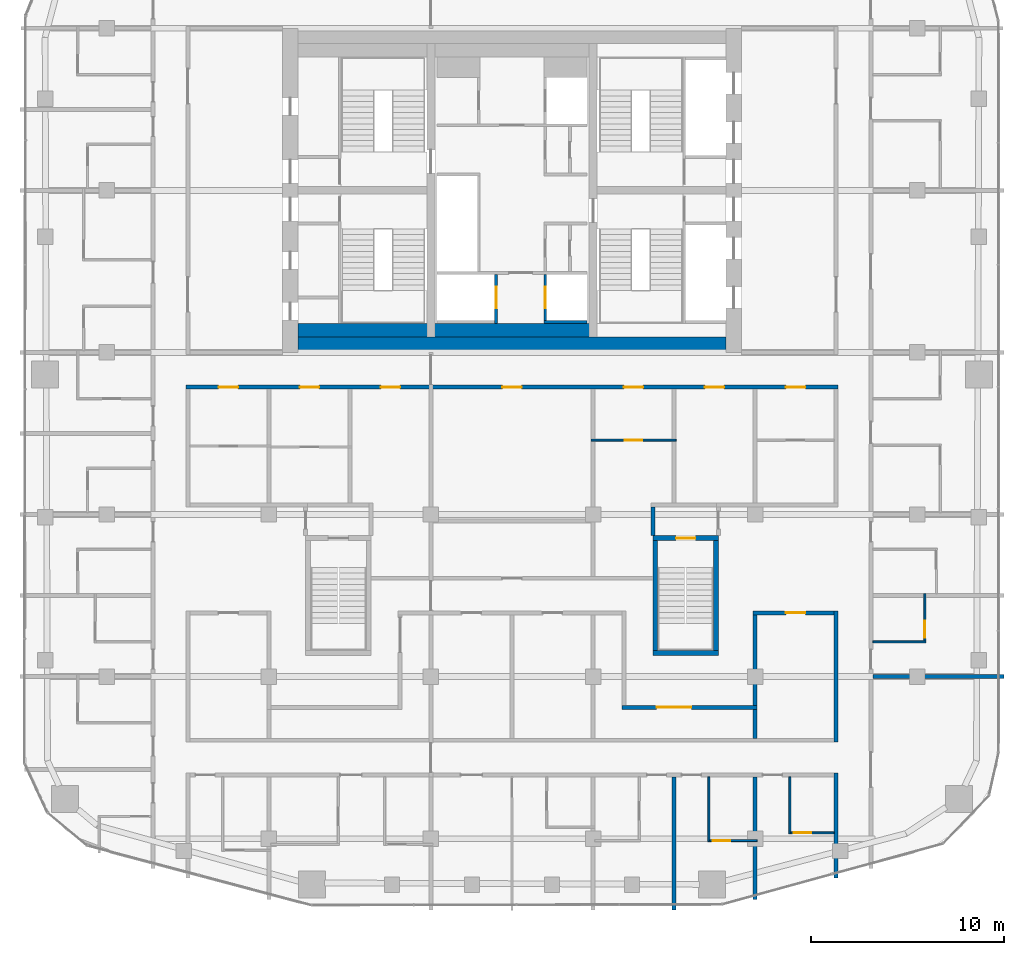
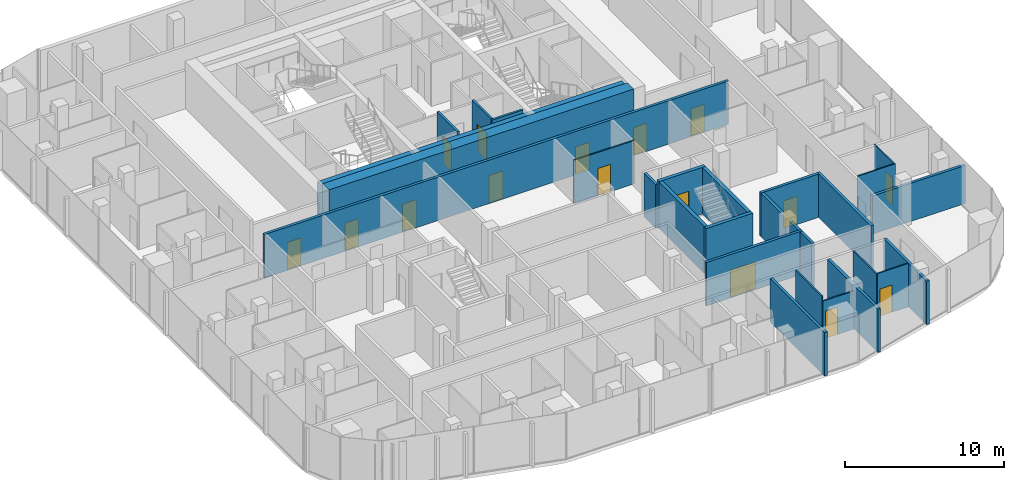
# One storey, part 16 of 22: 27 walls, 16 doors, 16 openings.
"""IFC4 building model written with IfcOpenShell, lengths in metres."""

from ifc_helpers import new_model, si_unit, direction, frame, frame_2d, origin, place, context, subcontext, project, spatial, rectangle, extrude, material, layer, layer_set, type_object, element, fill, save


model = new_model("IFC4")

# Units and contexts
model_context = context("Model", 3, precision=1e-05, world=origin(), true_north=direction((0.0, 1.0)))
body_context = subcontext(model_context, "Body", "Model", "MODEL_VIEW")
ifc_project = project(units=[si_unit("LENGTHUNIT", "METRE"), si_unit("AREAUNIT", "SQUARE_METRE"), si_unit("VOLUMEUNIT", "CUBIC_METRE"), si_unit("PLANEANGLEUNIT", "RADIAN"), si_unit("MASSUNIT", "GRAM", prefix="KILO")], contexts=[model_context])

# Site, building, storey
site_placement = place(None, origin())
site = spatial("IfcSite", under=ifc_project, at=site_placement, CompositionType="ELEMENT")
building_placement = place(site_placement, origin())
building = spatial("IfcBuilding", under=site, at=building_placement, Name="Marenta Gate Hotel Tower", CompositionType="ELEMENT")
storey_placement = place(building_placement, frame((0.0, 0.0, 223.699951171875)))
storey = spatial("IfcBuildingStorey", under=building, at=storey_placement, Name="L52", CompositionType="ELEMENT", Elevation=223.699951171875)

# Wall
ifc_material_1 = material(Name="Concrete C40", Category="concrete")
ifc_layer_1 = layer(ifc_material_1, 0.699951171875)
ifc_layer_set_1 = layer_set([ifc_layer_1], Name="Concrete C40")
wall_type_1 = type_object("IfcWallType", Name="Core lining wall 700 REI 180", PredefinedType="PARTITIONING", material=ifc_layer_set_1)
wall_1_placement = place(storey_placement, frame((-11.10009765625, 1.14990234375, 0.0), z_axis=(0.0, 0.0, 1.0), x_axis=(1.0, 0.0, 0.0)))
element("IfcWall", 1, at=wall_1_placement, inside=storey, type_object=wall_type_1, Name="L52-CP-LN-S", PredefinedType="PARTITIONING", context=body_context, shape_type="SweptSolid", body=[
    extrude(rectangle(XDim=22.2001953125, YDim=0.699951171875, at=frame_2d((11.10009765625, 0.0))), origin(), (0.0, 0.0, 1.0), 3.340087890625),
])

# Wall, opening, door
ifc_material_2 = material(Name="Concrete C40", Category="concrete")
ifc_layer_2 = layer(ifc_material_2, 0.14990234375)
ifc_layer_set_2 = layer_set([ifc_layer_2], Name="Concrete C40")
wall_type_2 = type_object("IfcWallType", Name="Core shaft wall 150 REI 180", PredefinedType="SHEAR", material=ifc_layer_set_2)
wall_2_placement = place(storey_placement, frame((-0.824951171875, 1.5, 0.0), z_axis=(0.0, 0.0, 1.0), x_axis=(0.0, 1.0, 0.0)))
wall_2 = element("IfcWall", 2, at=wall_2_placement, inside=storey, type_object=wall_type_2, Name="L52-SHF-CW-W-ff", PredefinedType="SHEAR", context=body_context, shape_type="SweptSolid", body=[
    extrude(rectangle(XDim=2.550048828125, YDim=0.14990234375, at=frame_2d((1.27490234375, 0.0))), origin(), (0.0, 0.0, 1.0), 3.60009765625),
])
opening_1_placement = place(wall_2_placement, frame((0.800048828125, 0.0, 0.0)))
opening_1 = element("IfcOpeningElement", 3, at=opening_1_placement, cuts=wall_2, Name="Opening LD-FF1", PredefinedType="OPENING", context=body_context, shape_type="SweptSolid", body=[
    extrude(rectangle(XDim=1.10009765625, YDim=2.10009765625, at=frame_2d((0.550048828125, 1.050048828125))), frame((0.0, 0.074951171875, 0.0), z_axis=(0.0, -1.0, 0.0), x_axis=(1.0, 0.0, 0.0)), (0.0, 0.0, 1.0), 0.14990234375),
])
ifc_material_3 = material(Name="Steel", Category="steel")
door_type_1 = type_object("IfcDoorType", Name="Core lift landing door 1100x2100 E 60", OperationType="SLIDING_TO_LEFT", PredefinedType="DOOR", material=ifc_material_3)
door_1_placement = place(opening_1_placement, origin())
door_1 = element("IfcDoor", 4, at=door_1_placement, inside=storey, type_object=door_type_1, Name="LD-FF1", OperationType="SLIDING_TO_LEFT", OverallHeight=2.10009765625, OverallWidth=1.10009765625, PredefinedType="DOOR", context=body_context, shape_type="SweptSolid", body=[
    extrude(rectangle(XDim=1.10009765625, YDim=2.10009765625, at=frame_2d((0.550048828125, 1.050048828125))), frame((0.0, 0.02490234375, 0.0), z_axis=(0.0, -1.0, 0.0), x_axis=(1.0, 0.0, 0.0)), (0.0, 0.0, 1.0), 0.050048828125),
])
fill(opening_1, door_1)

wall_3_placement = place(storey_placement, frame((1.72509765625, 1.64990234375, 0.0), z_axis=(0.0, 0.0, 1.0), x_axis=(0.0, 1.0, 0.0)))
wall_3 = element("IfcWall", 5, at=wall_3_placement, inside=storey, type_object=wall_type_2, Name="L52-SHF-CE-S-ls", PredefinedType="SHEAR", context=body_context, shape_type="SweptSolid", body=[
    extrude(rectangle(XDim=2.400146484375, YDim=0.14990234375, at=frame_2d((1.2001953125, 0.0))), origin(), (0.0, 0.0, 1.0), 3.60009765625),
])
opening_2_placement = place(wall_3_placement, frame((0.64990234375, 0.0, 0.0)))
opening_2 = element("IfcOpeningElement", 6, at=opening_2_placement, cuts=wall_3, Name="Opening LD-SV1", PredefinedType="OPENING", context=body_context, shape_type="SweptSolid", body=[
    extrude(rectangle(XDim=1.10009765625, YDim=2.10009765625, at=frame_2d((0.550048828125, 1.050048828125))), frame((0.0, 0.074951171875, 0.0), z_axis=(0.0, -1.0, 0.0), x_axis=(1.0, 0.0, 0.0)), (0.0, 0.0, 1.0), 0.14990234375),
])
door_2_placement = place(opening_2_placement, origin())
door_2 = element("IfcDoor", 7, at=door_2_placement, inside=storey, type_object=door_type_1, Name="LD-SV1", OperationType="SLIDING_TO_LEFT", OverallHeight=2.10009765625, OverallWidth=1.10009765625, PredefinedType="DOOR", context=body_context, shape_type="SweptSolid", body=[
    extrude(rectangle(XDim=1.10009765625, YDim=2.10009765625, at=frame_2d((0.550048828125, 1.050048828125))), frame((0.0, 0.02490234375, 0.0), z_axis=(0.0, -1.0, 0.0), x_axis=(1.0, 0.0, 0.0)), (0.0, 0.0, 1.0), 0.050048828125),
])
fill(opening_2, door_2)

# Walls
wall_4_placement = place(storey_placement, frame((1.64990234375, 1.574951171875, 0.0), z_axis=(0.0, 0.0, 1.0), x_axis=(1.0, 0.0, 0.0)))
element("IfcWall", 8, at=wall_4_placement, inside=storey, type_object=wall_type_2, Name="L52-SHF-CE-S-bot", PredefinedType="SHEAR", context=body_context, shape_type="SweptSolid", body=[
    extrude(rectangle(XDim=2.25, YDim=0.14990234375, at=frame_2d((1.125, 0.0))), origin(), (0.0, 0.0, 1.0), 3.60009765625),
])
ifc_material_4 = material(Name="Concrete C60", Category="concrete")
ifc_layer_3 = layer(ifc_material_4, 0.800048828125)
ifc_layer_set_3 = layer_set([ifc_layer_3], Name="Concrete C60")
wall_type_3 = type_object("IfcWallType", Name="Core wall 800 C60", PredefinedType="SHEAR", material=ifc_layer_set_3)
wall_5_placement = place(storey_placement, frame((-11.10009765625, 0.39990234375, 0.0), z_axis=(0.0, 0.0, 1.0), x_axis=(1.0, 0.0, 0.0)))
element("IfcWall", 9, at=wall_5_placement, inside=storey, type_object=wall_type_3, Name="L52-CORE-S", PredefinedType="SHEAR", context=body_context, shape_type="SweptSolid", body=[
    extrude(rectangle(XDim=22.2001953125, YDim=0.800048828125, at=frame_2d((11.10009765625, 0.0))), origin(), (0.0, 0.0, 1.0), 3.60009765625),
])
ifc_material_5 = material(Name="Concrete C40", Category="concrete")
ifc_layer_4 = layer(ifc_material_5, 0.25)
ifc_layer_set_4 = layer_set([ifc_layer_4], Name="Concrete C40")
wall_type_4 = type_object("IfcWallType", Name="Remote stair enclosure wall 250 REI 180", PredefinedType="SHEAR", material=ifc_layer_set_4)
wall_6_placement = place(storey_placement, frame((7.300048828125, -15.574951171875, 0.10009765625), z_axis=(0.0, 0.0, 1.0), x_axis=(1.0, 0.0, 0.0)))
element("IfcWall", 10, at=wall_6_placement, inside=storey, type_object=wall_type_4, Name="L52-RS-Z3-2-W1", PredefinedType="SHEAR", context=body_context, shape_type="SweptSolid", body=[
    extrude(rectangle(XDim=3.39990234375, YDim=0.25, at=frame_2d((1.699951171875, 0.0))), origin(), (0.0, 0.0, 1.0), 3.599853515625),
])

# Wall, opening, door
wall_7_placement = place(storey_placement, frame((7.300048828125, -9.625, 0.10009765625), z_axis=(0.0, 0.0, 1.0), x_axis=(1.0, 0.0, 0.0)))
wall_7 = element("IfcWall", 11, at=wall_7_placement, inside=storey, type_object=wall_type_4, Name="L52-RS-Z3-2-W2", PredefinedType="SHEAR", context=body_context, shape_type="SweptSolid", body=[
    extrude(rectangle(XDim=3.39990234375, YDim=0.25, at=frame_2d((1.699951171875, 0.0))), origin(), (0.0, 0.0, 1.0), 3.599853515625),
])
opening_3_placement = place(wall_7_placement, frame((1.199951171875, 0.0, 0.0)))
opening_3 = element("IfcOpeningElement", 12, at=opening_3_placement, cuts=wall_7, Name="Opening VD", PredefinedType="OPENING", context=body_context, shape_type="SweptSolid", body=[
    extrude(rectangle(XDim=1.0, YDim=2.10009765625, at=frame_2d((0.5, 1.050048828125))), frame((0.0, 0.125, 0.0), z_axis=(0.0, -1.0, 0.0), x_axis=(1.0, 0.0, 0.0)), (0.0, 0.0, 1.0), 0.25),
])
ifc_material_6 = material(Name="Steel", Category="steel")
door_type_2 = type_object("IfcDoorType", Name="Stair vestibule door 1000x2100 FD60", OperationType="SINGLE_SWING_LEFT", PredefinedType="DOOR", material=ifc_material_6)
door_3_placement = place(opening_3_placement, origin())
door_3 = element("IfcDoor", 13, at=door_3_placement, inside=storey, type_object=door_type_2, Name="VD", OperationType="SINGLE_SWING_LEFT", OverallHeight=2.10009765625, OverallWidth=1.0, PredefinedType="DOOR", context=body_context, shape_type="SweptSolid", body=[
    extrude(rectangle(XDim=1.0, YDim=2.10009765625, at=frame_2d((0.5, 1.050048828125))), frame((0.0, 0.02490234375, 0.0), z_axis=(0.0, -1.0, 0.0), x_axis=(1.0, 0.0, 0.0)), (0.0, 0.0, 1.0), 0.050048828125),
])
fill(opening_3, door_3)

# Walls
for number, where, z_axis, x_axis, name in (
    (14, (7.425048828125, -15.449951171875, 0.10009765625), (0.0, 0.0, 1.0), (0.0, 1.0, 0.0), "L52-RS-Z3-2-W3"),
    (15, (10.574951171875, -15.449951171875, 0.10009765625), (0.0, 0.0, 1.0), (0.0, 1.0, 0.0), "L52-RS-Z3-2-W4"),
):
    element("IfcWall", number, at=place(storey_placement, frame(where, z_axis=z_axis, x_axis=x_axis)), inside=storey, type_object=wall_type_4, Name=name, PredefinedType="SHEAR", context=body_context, shape_type="SweptSolid", body=[
        extrude(rectangle(XDim=5.699951171875, YDim=0.25, at=frame_2d((2.85009765625, 0.0))), origin(), (0.0, 0.0, 1.0), 3.599853515625),
    ])

# Wall, openings, doors
ifc_material_7 = material(Name="Concrete blockwork", Category="masonry")
ifc_layer_5 = layer(ifc_material_7, 0.199951171875)
ifc_layer_set_5 = layer_set([ifc_layer_5], Name="Concrete blockwork")
wall_type_5 = type_object("IfcWallType", Name="Room corridor wall 200 EI 120", PredefinedType="PARTITIONING", material=ifc_layer_set_5)
wall_8_placement = place(storey_placement, frame((-16.89990234375, -1.800048828125, 0.0), z_axis=(0.0, 0.0, 1.0), x_axis=(1.0, 0.0, 0.0)))
wall_8 = element("IfcWall", 16, at=wall_8_placement, inside=storey, type_object=wall_type_5, Name="L52-PTN-W074", PredefinedType="PARTITIONING", context=body_context, shape_type="SweptSolid", body=[
    extrude(rectangle(XDim=33.7998046875, YDim=0.199951171875, at=frame_2d((16.89990234375, 0.0))), origin(), (0.0, 0.0, 1.0), 3.340087890625),
])
opening_4_placement = place(wall_8_placement, frame((1.699951171875, 0.0, 0.0)))
opening_4 = element("IfcOpeningElement", 17, at=opening_4_placement, cuts=wall_8, Name="Opening G19-01", PredefinedType="OPENING", context=body_context, shape_type="SweptSolid", body=[
    extrude(rectangle(XDim=1.0, YDim=2.10009765625, at=frame_2d((0.5, 1.050048828125))), frame((0.0, 0.10009765625, 0.0), z_axis=(0.0, -1.0, 0.0), x_axis=(1.0, 0.0, 0.0)), (0.0, 0.0, 1.0), 0.199951171875),
])
opening_5_placement = place(wall_8_placement, frame((5.89990234375, 0.0, 0.0)))
opening_5 = element("IfcOpeningElement", 18, at=opening_5_placement, cuts=wall_8, Name="Opening G19-03", PredefinedType="OPENING", context=body_context, shape_type="SweptSolid", body=[
    extrude(rectangle(XDim=1.0, YDim=2.10009765625, at=frame_2d((0.5, 1.050048828125))), frame((0.0, 0.10009765625, 0.0), z_axis=(0.0, -1.0, 0.0), x_axis=(1.0, 0.0, 0.0)), (0.0, 0.0, 1.0), 0.199951171875),
])
opening_6_placement = place(wall_8_placement, frame((10.10009765625, 0.0, 0.0)))
opening_6 = element("IfcOpeningElement", 19, at=opening_6_placement, cuts=wall_8, Name="Opening G19-05", PredefinedType="OPENING", context=body_context, shape_type="SweptSolid", body=[
    extrude(rectangle(XDim=1.0, YDim=2.10009765625, at=frame_2d((0.5, 1.050048828125))), frame((0.0, 0.10009765625, 0.0), z_axis=(0.0, -1.0, 0.0), x_axis=(1.0, 0.0, 0.0)), (0.0, 0.0, 1.0), 0.199951171875),
])
opening_7_placement = place(wall_8_placement, frame((22.699951171875, 0.0, 0.0)))
opening_7 = element("IfcOpeningElement", 20, at=opening_7_placement, cuts=wall_8, Name="Opening G19-06", PredefinedType="OPENING", context=body_context, shape_type="SweptSolid", body=[
    extrude(rectangle(XDim=1.0, YDim=2.10009765625, at=frame_2d((0.5, 1.050048828125))), frame((0.0, 0.10009765625, 0.0), z_axis=(0.0, -1.0, 0.0), x_axis=(1.0, 0.0, 0.0)), (0.0, 0.0, 1.0), 0.199951171875),
])
opening_8_placement = place(wall_8_placement, frame((26.89990234375, 0.0, 0.0)))
opening_8 = element("IfcOpeningElement", 21, at=opening_8_placement, cuts=wall_8, Name="Opening G19-08", PredefinedType="OPENING", context=body_context, shape_type="SweptSolid", body=[
    extrude(rectangle(XDim=1.0, YDim=2.10009765625, at=frame_2d((0.5, 1.050048828125))), frame((0.0, 0.10009765625, 0.0), z_axis=(0.0, -1.0, 0.0), x_axis=(1.0, 0.0, 0.0)), (0.0, 0.0, 1.0), 0.199951171875),
])
opening_9_placement = place(wall_8_placement, frame((31.10009765625, 0.0, 0.0)))
opening_9 = element("IfcOpeningElement", 22, at=opening_9_placement, cuts=wall_8, Name="Opening G19-09", PredefinedType="OPENING", context=body_context, shape_type="SweptSolid", body=[
    extrude(rectangle(XDim=1.0, YDim=2.10009765625, at=frame_2d((0.5, 1.050048828125))), frame((0.0, 0.10009765625, 0.0), z_axis=(0.0, -1.0, 0.0), x_axis=(1.0, 0.0, 0.0)), (0.0, 0.0, 1.0), 0.199951171875),
])
opening_10_placement = place(wall_8_placement, frame((16.39990234375, 0.0, 0.0)))
opening_10 = element("IfcOpeningElement", 23, at=opening_10_placement, cuts=wall_8, Name="Opening G19-74", PredefinedType="OPENING", context=body_context, shape_type="SweptSolid", body=[
    extrude(rectangle(XDim=1.0, YDim=2.10009765625, at=frame_2d((0.5, 1.050048828125))), frame((0.0, 0.10009765625, 0.0), z_axis=(0.0, -1.0, 0.0), x_axis=(1.0, 0.0, 0.0)), (0.0, 0.0, 1.0), 0.199951171875),
])
ifc_material_8 = material(Name="Timber door leaf", Category="wood")
door_type_3 = type_object("IfcDoorType", Name="Room amenity door 1000x2100 EI 60", OperationType="NOTDEFINED", PredefinedType="DOOR", material=ifc_material_8)
door_4_placement = place(opening_6_placement, origin())
door_4 = element("IfcDoor", 24, at=door_4_placement, inside=storey, type_object=door_type_3, Name="L52-PD-D005", OperationType="SINGLE_SWING_RIGHT", OverallHeight=2.10009765625, OverallWidth=1.0, PredefinedType="DOOR", context=body_context, shape_type="SweptSolid", body=[
    extrude(rectangle(XDim=1.0, YDim=2.10009765625, at=frame_2d((0.5, 1.050048828125))), frame((0.0, 0.02490234375, 0.0), z_axis=(0.0, -1.0, 0.0), x_axis=(1.0, 0.0, 0.0)), (0.0, 0.0, 1.0), 0.050048828125),
])
fill(opening_6, door_4)
door_5_placement = place(opening_8_placement, origin())
door_5 = element("IfcDoor", 25, at=door_5_placement, inside=storey, type_object=door_type_3, Name="L52-PD-D008", OperationType="SINGLE_SWING_LEFT", OverallHeight=2.10009765625, OverallWidth=1.0, PredefinedType="DOOR", context=body_context, shape_type="SweptSolid", body=[
    extrude(rectangle(XDim=1.0, YDim=2.10009765625, at=frame_2d((0.5, 1.050048828125))), frame((0.0, 0.02490234375, 0.0), z_axis=(0.0, -1.0, 0.0), x_axis=(1.0, 0.0, 0.0)), (0.0, 0.0, 1.0), 0.050048828125),
])
fill(opening_8, door_5)
door_6_placement = place(opening_10_placement, origin())
door_6 = element("IfcDoor", 26, at=door_6_placement, inside=storey, type_object=door_type_3, Name="L52-PD-D074", OperationType="SINGLE_SWING_LEFT", OverallHeight=2.10009765625, OverallWidth=1.0, PredefinedType="DOOR", context=body_context, shape_type="SweptSolid", body=[
    extrude(rectangle(XDim=1.0, YDim=2.10009765625, at=frame_2d((0.5, 1.050048828125))), frame((0.0, 0.02490234375, 0.0), z_axis=(0.0, -1.0, 0.0), x_axis=(1.0, 0.0, 0.0)), (0.0, 0.0, 1.0), 0.050048828125),
])
fill(opening_10, door_6)
ifc_material_9 = material(Name="Hollow steel door set", Category="steel")
door_type_4 = type_object("IfcDoorType", Name="Room service door 1000x2100 EI 60", OperationType="NOTDEFINED", PredefinedType="DOOR", material=ifc_material_9)
door_7_placement = place(opening_4_placement, origin())
door_7 = element("IfcDoor", 27, at=door_7_placement, inside=storey, type_object=door_type_4, Name="L52-PD-D001", OperationType="SINGLE_SWING_LEFT", OverallHeight=2.10009765625, OverallWidth=1.0, PredefinedType="DOOR", context=body_context, shape_type="SweptSolid", body=[
    extrude(rectangle(XDim=1.0, YDim=2.10009765625, at=frame_2d((0.5, 1.050048828125))), frame((0.0, 0.02490234375, 0.0), z_axis=(0.0, -1.0, 0.0), x_axis=(1.0, 0.0, 0.0)), (0.0, 0.0, 1.0), 0.050048828125),
])
fill(opening_4, door_7)
door_8_placement = place(opening_5_placement, origin())
door_8 = element("IfcDoor", 28, at=door_8_placement, inside=storey, type_object=door_type_4, Name="L52-PD-D003", OperationType="SINGLE_SWING_LEFT", OverallHeight=2.10009765625, OverallWidth=1.0, PredefinedType="DOOR", context=body_context, shape_type="SweptSolid", body=[
    extrude(rectangle(XDim=1.0, YDim=2.10009765625, at=frame_2d((0.5, 1.050048828125))), frame((0.0, 0.02490234375, 0.0), z_axis=(0.0, -1.0, 0.0), x_axis=(1.0, 0.0, 0.0)), (0.0, 0.0, 1.0), 0.050048828125),
])
fill(opening_5, door_8)
door_9_placement = place(opening_7_placement, origin())
door_9 = element("IfcDoor", 29, at=door_9_placement, inside=storey, type_object=door_type_4, Name="L52-PD-D006", OperationType="SINGLE_SWING_RIGHT", OverallHeight=2.10009765625, OverallWidth=1.0, PredefinedType="DOOR", context=body_context, shape_type="SweptSolid", body=[
    extrude(rectangle(XDim=1.0, YDim=2.10009765625, at=frame_2d((0.5, 1.050048828125))), frame((0.0, 0.02490234375, 0.0), z_axis=(0.0, -1.0, 0.0), x_axis=(1.0, 0.0, 0.0)), (0.0, 0.0, 1.0), 0.050048828125),
])
fill(opening_7, door_9)
door_10_placement = place(opening_9_placement, origin())
door_10 = element("IfcDoor", 30, at=door_10_placement, inside=storey, type_object=door_type_4, Name="L52-PD-D009", OperationType="SINGLE_SWING_LEFT", OverallHeight=2.10009765625, OverallWidth=1.0, PredefinedType="DOOR", context=body_context, shape_type="SweptSolid", body=[
    extrude(rectangle(XDim=1.0, YDim=2.10009765625, at=frame_2d((0.5, 1.050048828125))), frame((0.0, 0.02490234375, 0.0), z_axis=(0.0, -1.0, 0.0), x_axis=(1.0, 0.0, 0.0)), (0.0, 0.0, 1.0), 0.050048828125),
])
fill(opening_9, door_10)

# Wall, opening, door
ifc_material_10 = material(Name="Gypsum board on steel stud", Category="steel")
ifc_layer_6 = layer(ifc_material_10, 0.199951171875)
ifc_layer_set_6 = layer_set([ifc_layer_6], Name="Gypsum board on steel stud")
wall_type_6 = type_object("IfcWallType", Name="Room corridor wall 200 EI 60", PredefinedType="PARTITIONING", material=ifc_layer_set_6)
wall_9_placement = place(storey_placement, frame((5.699951171875, -18.39990234375, 0.0), z_axis=(0.0, 0.0, 1.0), x_axis=(1.0, 0.0, 0.0)))
wall_9 = element("IfcWall", 31, at=wall_9_placement, inside=storey, type_object=wall_type_6, Name="L52-PTN-W023", PredefinedType="PARTITIONING", context=body_context, shape_type="SweptSolid", body=[
    extrude(rectangle(XDim=7.0, YDim=0.199951171875, at=frame_2d((3.5, 0.0))), origin(), (0.0, 0.0, 1.0), 3.340087890625),
])
opening_11_placement = place(wall_9_placement, frame((1.800048828125, 0.0, 0.0)))
opening_11 = element("IfcOpeningElement", 32, at=opening_11_placement, cuts=wall_9, Name="Opening G19-15", PredefinedType="OPENING", context=body_context, shape_type="SweptSolid", body=[
    extrude(rectangle(XDim=1.800048828125, YDim=2.10009765625, at=frame_2d((0.89990234375, 1.050048828125))), frame((0.0, 0.10009765625, 0.0), z_axis=(0.0, -1.0, 0.0), x_axis=(1.0, 0.0, 0.0)), (0.0, 0.0, 1.0), 0.199951171875),
])
ifc_material_11 = material(Name="Timber door leaf", Category="wood")
door_type_5 = type_object("IfcDoorType", Name="Room amenity door 1800x2100 EI 30", OperationType="DOUBLE_DOOR_SINGLE_SWING", PredefinedType="DOOR", material=ifc_material_11)
door_11_placement = place(opening_11_placement, origin())
door_11 = element("IfcDoor", 33, at=door_11_placement, inside=storey, type_object=door_type_5, Name="L52-PD-D015", OperationType="DOUBLE_DOOR_SINGLE_SWING", OverallHeight=2.10009765625, OverallWidth=1.800048828125, PredefinedType="DOOR", context=body_context, shape_type="SweptSolid", body=[
    extrude(rectangle(XDim=1.800048828125, YDim=2.10009765625, at=frame_2d((0.89990234375, 1.050048828125))), frame((0.0, 0.02490234375, 0.0), z_axis=(0.0, -1.0, 0.0), x_axis=(1.0, 0.0, 0.0)), (0.0, 0.0, 1.0), 0.050048828125),
])
fill(opening_11, door_11)

# Walls
wall_10_placement = place(storey_placement, frame((16.800048828125, -27.22900390625, 0.0), z_axis=(0.0, 0.0, 1.0), x_axis=(0.0, 1.0, 0.0)))
element("IfcWall", 34, at=wall_10_placement, inside=storey, type_object=wall_type_6, Name="L52-PTN-W024", PredefinedType="PARTITIONING", context=body_context, shape_type="SweptSolid", body=[
    extrude(rectangle(XDim=5.428955078125, YDim=0.199951171875, at=frame_2d((2.71435546875, 0.0))), origin(), (0.0, 0.0, 1.0), 3.340087890625),
])
wall_11_placement = place(storey_placement, frame((16.800048828125, -20.199951171875, 0.0), z_axis=(0.0, 0.0, 1.0), x_axis=(0.0, 1.0, 0.0)))
element("IfcWall", 35, at=wall_11_placement, inside=storey, type_object=wall_type_6, Name="L52-PTN-W025", PredefinedType="PARTITIONING", context=body_context, shape_type="SweptSolid", body=[
    extrude(rectangle(XDim=6.800048828125, YDim=0.199951171875, at=frame_2d((3.39990234375, 0.0))), origin(), (0.0, 0.0, 1.0), 3.340087890625),
])

# Wall, opening, door
wall_12_placement = place(storey_placement, frame((12.5, -13.5, 0.0), z_axis=(0.0, 0.0, 1.0), x_axis=(1.0, 0.0, 0.0)))
wall_12 = element("IfcWall", 36, at=wall_12_placement, inside=storey, type_object=wall_type_6, Name="L52-PTN-W035", PredefinedType="PARTITIONING", context=body_context, shape_type="SweptSolid", body=[
    extrude(rectangle(XDim=4.199951171875, YDim=0.199951171875, at=frame_2d((2.10009765625, 0.0))), origin(), (0.0, 0.0, 1.0), 3.340087890625),
])
opening_12_placement = place(wall_12_placement, frame((1.699951171875, 0.0, 0.0)))
opening_12 = element("IfcOpeningElement", 37, at=opening_12_placement, cuts=wall_12, Name="Opening G19-16", PredefinedType="OPENING", context=body_context, shape_type="SweptSolid", body=[
    extrude(rectangle(XDim=1.0, YDim=2.10009765625, at=frame_2d((0.5, 1.050048828125))), frame((0.0, 0.10009765625, 0.0), z_axis=(0.0, -1.0, 0.0), x_axis=(1.0, 0.0, 0.0)), (0.0, 0.0, 1.0), 0.199951171875),
])
ifc_material_12 = material(Name="Timber door leaf", Category="wood")
door_type_6 = type_object("IfcDoorType", Name="Room amenity door 1000x2100 EI 30", OperationType="NOTDEFINED", PredefinedType="DOOR", material=ifc_material_12)
door_12_placement = place(opening_12_placement, origin())
door_12 = element("IfcDoor", 38, at=door_12_placement, inside=storey, type_object=door_type_6, Name="L52-PD-D016", OperationType="SINGLE_SWING_RIGHT", OverallHeight=2.10009765625, OverallWidth=1.0, PredefinedType="DOOR", context=body_context, shape_type="SweptSolid", body=[
    extrude(rectangle(XDim=1.0, YDim=2.10009765625, at=frame_2d((0.5, 1.050048828125))), frame((0.0, 0.02490234375, 0.0), z_axis=(0.0, -1.0, 0.0), x_axis=(1.0, 0.0, 0.0)), (0.0, 0.0, 1.0), 0.050048828125),
])
fill(opening_12, door_12)

# Wall
wall_13_placement = place(storey_placement, frame((12.60009765625, -18.300048828125, 0.0), z_axis=(0.0, 0.0, 1.0), x_axis=(0.0, 1.0, 0.0)))
element("IfcWall", 39, at=wall_13_placement, inside=storey, type_object=wall_type_6, Name="L52-PTN-W040", PredefinedType="PARTITIONING", context=body_context, shape_type="SweptSolid", body=[
    extrude(rectangle(XDim=4.699951171875, YDim=0.199951171875, at=frame_2d((2.35009765625, 0.0))), origin(), (0.0, 0.0, 1.0), 3.340087890625),
])

# Wall, opening, door
ifc_material_13 = material(Name="Gypsum board on steel stud", Category="steel")
ifc_layer_7 = layer(ifc_material_13, 0.10009765625)
ifc_layer_set_7 = layer_set([ifc_layer_7], Name="Gypsum board on steel stud")
wall_type_7 = type_object("IfcWallType", Name="Room partition 100", PredefinedType="PARTITIONING", material=ifc_layer_set_7)
wall_14_placement = place(storey_placement, frame((10.25, -25.300048828125, 0.0), z_axis=(0.0, 0.0, 1.0), x_axis=(1.0, 0.0, 0.0)))
wall_14 = element("IfcWall", 40, at=wall_14_placement, inside=storey, type_object=wall_type_7, Name="L52-PTN-W006", PredefinedType="PARTITIONING", context=body_context, shape_type="SweptSolid", body=[
    extrude(rectangle(XDim=2.449951171875, YDim=0.10009765625, at=frame_2d((1.22509765625, 0.0))), origin(), (0.0, 0.0, 1.0), 2.93994140625),
])
opening_13_placement = place(wall_14_placement, frame((0.14990234375, 0.0, 0.0)))
opening_13 = element("IfcOpeningElement", 41, at=opening_13_placement, cuts=wall_14, Name="Opening G19-47", PredefinedType="OPENING", context=body_context, shape_type="SweptSolid", body=[
    extrude(rectangle(XDim=0.89990234375, YDim=2.10009765625, at=frame_2d((0.449951171875, 1.050048828125))), frame((0.0, 0.050048828125, 0.0), z_axis=(0.0, -1.0, 0.0), x_axis=(1.0, 0.0, 0.0)), (0.0, 0.0, 1.0), 0.10009765625),
])
ifc_material_14 = material(Name="Timber door leaf", Category="wood")
door_type_7 = type_object("IfcDoorType", Name="Guest bathroom door 900x2100", OperationType="NOTDEFINED", PredefinedType="DOOR", material=ifc_material_14)
door_13_placement = place(opening_13_placement, origin())
door_13 = element("IfcDoor", 42, at=door_13_placement, inside=storey, type_object=door_type_7, Name="L52-PD-D047", OperationType="SINGLE_SWING_LEFT", OverallHeight=2.10009765625, OverallWidth=0.89990234375, PredefinedType="DOOR", context=body_context, shape_type="SweptSolid", body=[
    extrude(rectangle(XDim=0.89990234375, YDim=2.10009765625, at=frame_2d((0.449951171875, 1.050048828125))), frame((0.0, 0.02490234375, 0.0), z_axis=(0.0, -1.0, 0.0), x_axis=(1.0, 0.0, 0.0)), (0.0, 0.0, 1.0), 0.050048828125),
])
fill(opening_13, door_13)

wall_15_placement = place(storey_placement, frame((14.449951171875, -24.89990234375, 0.0), z_axis=(0.0, 0.0, 1.0), x_axis=(1.0, 0.0, 0.0)))
wall_15 = element("IfcWall", 43, at=wall_15_placement, inside=storey, type_object=wall_type_7, Name="L52-PTN-W007", PredefinedType="PARTITIONING", context=body_context, shape_type="SweptSolid", body=[
    extrude(rectangle(XDim=2.25, YDim=0.10009765625, at=frame_2d((1.125, 0.0))), origin(), (0.0, 0.0, 1.0), 3.340087890625),
])
opening_14_placement = place(wall_15_placement, frame((0.14990234375, 0.0, 0.0)))
opening_14 = element("IfcOpeningElement", 44, at=opening_14_placement, cuts=wall_15, Name="Opening G19-49", PredefinedType="OPENING", context=body_context, shape_type="SweptSolid", body=[
    extrude(rectangle(XDim=0.89990234375, YDim=2.10009765625, at=frame_2d((0.449951171875, 1.050048828125))), frame((0.0, 0.050048828125, 0.0), z_axis=(0.0, -1.0, 0.0), x_axis=(1.0, 0.0, 0.0)), (0.0, 0.0, 1.0), 0.10009765625),
])
door_14_placement = place(opening_14_placement, origin())
door_14 = element("IfcDoor", 45, at=door_14_placement, inside=storey, type_object=door_type_7, Name="L52-PD-D049", OperationType="SINGLE_SWING_LEFT", OverallHeight=2.10009765625, OverallWidth=0.89990234375, PredefinedType="DOOR", context=body_context, shape_type="SweptSolid", body=[
    extrude(rectangle(XDim=0.89990234375, YDim=2.10009765625, at=frame_2d((0.449951171875, 1.050048828125))), frame((0.0, 0.02490234375, 0.0), z_axis=(0.0, -1.0, 0.0), x_axis=(1.0, 0.0, 0.0)), (0.0, 0.0, 1.0), 0.050048828125),
])
fill(opening_14, door_14)

wall_16_placement = place(storey_placement, frame((21.39990234375, -14.949951171875, 0.0), z_axis=(0.0, 0.0, 1.0), x_axis=(0.0, 1.0, 0.0)))
wall_16 = element("IfcWall", 46, at=wall_16_placement, inside=storey, type_object=wall_type_7, Name="L52-PTN-W018", PredefinedType="PARTITIONING", context=body_context, shape_type="SweptSolid", body=[
    extrude(rectangle(XDim=2.449951171875, YDim=0.10009765625, at=frame_2d((1.22509765625, 0.0))), origin(), (0.0, 0.0, 1.0), 3.340087890625),
])
opening_15_placement = place(wall_16_placement, frame((0.14990234375, 0.0, 0.0)))
opening_15 = element("IfcOpeningElement", 47, at=opening_15_placement, cuts=wall_16, Name="Opening G19-19", PredefinedType="OPENING", context=body_context, shape_type="SweptSolid", body=[
    extrude(rectangle(XDim=0.89990234375, YDim=2.10009765625, at=frame_2d((0.449951171875, 1.050048828125))), frame((0.0, 0.050048828125, 0.0), z_axis=(0.0, -1.0, 0.0), x_axis=(1.0, 0.0, 0.0)), (0.0, 0.0, 1.0), 0.10009765625),
])
door_15_placement = place(opening_15_placement, origin())
door_15 = element("IfcDoor", 48, at=door_15_placement, inside=storey, type_object=door_type_7, Name="L52-PD-D019", OperationType="SINGLE_SWING_LEFT", OverallHeight=2.10009765625, OverallWidth=0.89990234375, PredefinedType="DOOR", context=body_context, shape_type="SweptSolid", body=[
    extrude(rectangle(XDim=0.89990234375, YDim=2.10009765625, at=frame_2d((0.449951171875, 1.050048828125))), frame((0.0, 0.02490234375, 0.0), z_axis=(0.0, -1.0, 0.0), x_axis=(1.0, 0.0, 0.0)), (0.0, 0.0, 1.0), 0.050048828125),
])
fill(opening_15, door_15)

# Walls
wall_17_placement = place(storey_placement, frame((18.699951171875, -15.0, 0.0), z_axis=(0.0, 0.0, 1.0), x_axis=(1.0, 0.0, 0.0)))
element("IfcWall", 49, at=wall_17_placement, inside=storey, type_object=wall_type_7, Name="L52-PTN-W031", PredefinedType="PARTITIONING", context=body_context, shape_type="SweptSolid", body=[
    extrude(rectangle(XDim=2.75, YDim=0.10009765625, at=frame_2d((1.375, 0.0))), origin(), (0.0, 0.0, 1.0), 3.340087890625),
])
wall_18_placement = place(storey_placement, frame((14.39990234375, -24.949951171875, 0.0), z_axis=(0.0, 0.0, 1.0), x_axis=(0.0, 1.0, 0.0)))
element("IfcWall", 50, at=wall_18_placement, inside=storey, type_object=wall_type_7, Name="L52-PTN-W032", PredefinedType="PARTITIONING", context=body_context, shape_type="SweptSolid", body=[
    extrude(rectangle(XDim=2.949951171875, YDim=0.10009765625, at=frame_2d((1.47509765625, 0.0))), origin(), (0.0, 0.0, 1.0), 3.340087890625),
])
wall_19_placement = place(storey_placement, frame((10.199951171875, -25.35009765625, 0.0), z_axis=(0.0, 0.0, 1.0), x_axis=(0.0, 1.0, 0.0)))
element("IfcWall", 51, at=wall_19_placement, inside=storey, type_object=wall_type_7, Name="L52-PTN-W045", PredefinedType="PARTITIONING", context=body_context, shape_type="SweptSolid", body=[
    extrude(rectangle(XDim=3.35009765625, YDim=0.10009765625, at=frame_2d((1.675048828125, 0.0))), origin(), (0.0, 0.0, 1.0), 3.340087890625),
])

# Wall, opening, door
wall_20_placement = place(storey_placement, frame((4.10009765625, -4.544921875, 0.0), z_axis=(0.0, 0.0, 1.0), x_axis=(1.0, 0.0, 0.0)))
wall_20 = element("IfcWall", 52, at=wall_20_placement, inside=storey, type_object=wall_type_7, Name="L52-PTN-W064", PredefinedType="PARTITIONING", context=body_context, shape_type="SweptSolid", body=[
    extrude(rectangle(XDim=4.39990234375, YDim=0.10009765625, at=frame_2d((2.199951171875, 0.0))), origin(), (0.0, 0.0, 1.0), 3.340087890625),
])
opening_16_placement = place(wall_20_placement, frame((1.75, 0.0, 0.0)))
opening_16 = element("IfcOpeningElement", 53, at=opening_16_placement, cuts=wall_20, Name="Opening G19-07", PredefinedType="OPENING", context=body_context, shape_type="SweptSolid", body=[
    extrude(rectangle(XDim=0.89990234375, YDim=2.10009765625, at=frame_2d((0.449951171875, 1.050048828125))), frame((0.0, 0.050048828125, 0.0), z_axis=(0.0, -1.0, 0.0), x_axis=(1.0, 0.0, 0.0)), (0.0, 0.0, 1.0), 0.10009765625),
])
ifc_material_15 = material(Name="Timber door leaf", Category="wood")
door_type_8 = type_object("IfcDoorType", Name="Room inner door 900x2100", OperationType="NOTDEFINED", PredefinedType="DOOR", material=ifc_material_15)
door_16_placement = place(opening_16_placement, origin())
door_16 = element("IfcDoor", 54, at=door_16_placement, inside=storey, type_object=door_type_8, Name="L52-PD-D007", OperationType="SINGLE_SWING_LEFT", OverallHeight=2.10009765625, OverallWidth=0.89990234375, PredefinedType="DOOR", context=body_context, shape_type="SweptSolid", body=[
    extrude(rectangle(XDim=0.89990234375, YDim=2.10009765625, at=frame_2d((0.449951171875, 1.050048828125))), frame((0.0, 0.02490234375, 0.0), z_axis=(0.0, -1.0, 0.0), x_axis=(1.0, 0.0, 0.0)), (0.0, 0.0, 1.0), 0.050048828125),
])
fill(opening_16, door_16)

# Walls
ifc_material_16 = material(Name="Gypsum board on steel stud", Category="steel")
ifc_layer_8 = layer(ifc_material_16, 0.199951171875)
ifc_layer_set_8 = layer_set([ifc_layer_8], Name="Gypsum board on steel stud")
wall_type_8 = type_object("IfcWallType", Name="Room party wall 200 EI 60", PredefinedType="PARTITIONING", material=ifc_layer_set_8)
wall_21_placement = place(storey_placement, frame((18.699951171875, -16.800048828125, 0.0), z_axis=(0.0, 0.0, 1.0), x_axis=(1.0, 0.0, 0.0)))
element("IfcWall", 55, at=wall_21_placement, inside=storey, type_object=wall_type_8, Name="L52-PTN-W029", PredefinedType="PARTITIONING", context=body_context, shape_type="SweptSolid", body=[
    extrude(rectangle(XDim=6.800048828125, YDim=0.199951171875, at=frame_2d((3.39990234375, 0.0))), origin(), (0.0, 0.0, 1.0), 2.93994140625),
])
wall_22_placement = place(storey_placement, frame((12.60009765625, -28.343017578125, 0.0), z_axis=(0.0, 0.0, 1.0), x_axis=(0.0, 1.0, 0.0)))
element("IfcWall", 56, at=wall_22_placement, inside=storey, type_object=wall_type_8, Name="L52-PTN-W036", PredefinedType="PARTITIONING", context=body_context, shape_type="SweptSolid", body=[
    extrude(rectangle(XDim=6.343017578125, YDim=0.199951171875, at=frame_2d((3.17138671875, 0.0))), origin(), (0.0, 0.0, 1.0), 3.340087890625),
])
wall_23_placement = place(storey_placement, frame((12.60009765625, -20.0, 0.0), z_axis=(0.0, 0.0, 1.0), x_axis=(0.0, 1.0, 0.0)))
element("IfcWall", 57, at=wall_23_placement, inside=storey, type_object=wall_type_8, Name="L52-PTN-W037", PredefinedType="PARTITIONING", context=body_context, shape_type="SweptSolid", body=[
    extrude(rectangle(XDim=1.5, YDim=0.199951171875, at=frame_2d((0.75, 0.0))), origin(), (0.0, 0.0, 1.0), 3.340087890625),
])
wall_24_placement = place(storey_placement, frame((8.39990234375, -28.89990234375, 0.0), z_axis=(0.0, 0.0, 1.0), x_axis=(0.0, 1.0, 0.0)))
element("IfcWall", 58, at=wall_24_placement, inside=storey, type_object=wall_type_8, Name="L52-PTN-W049", PredefinedType="PARTITIONING", context=body_context, shape_type="SweptSolid", body=[
    extrude(rectangle(XDim=6.89990234375, YDim=0.199951171875, at=frame_2d((3.449951171875, 0.0))), origin(), (0.0, 0.0, 1.0), 3.340087890625),
])
ifc_material_17 = material(Name="Concrete blockwork", Category="masonry")
ifc_layer_9 = layer(ifc_material_17, 0.199951171875)
ifc_layer_set_9 = layer_set([ifc_layer_9], Name="Concrete blockwork")
wall_type_9 = type_object("IfcWallType", Name="Room party wall 200 REI 180", PredefinedType="PARTITIONING", material=ifc_layer_set_9)
wall_25_placement = place(storey_placement, frame((7.300048828125, -9.5, 0.0), z_axis=(0.0, 0.0, 1.0), x_axis=(0.0, 1.0, 0.0)))
element("IfcWall", 59, at=wall_25_placement, inside=storey, type_object=wall_type_9, Name="L52-PTN-W057", PredefinedType="PARTITIONING", context=body_context, shape_type="SweptSolid", body=[
    extrude(rectangle(XDim=1.5, YDim=0.199951171875, at=frame_2d((0.75, 0.0))), origin(), (0.0, 0.0, 1.0), 3.340087890625),
])

save(model, "model.ifc")
